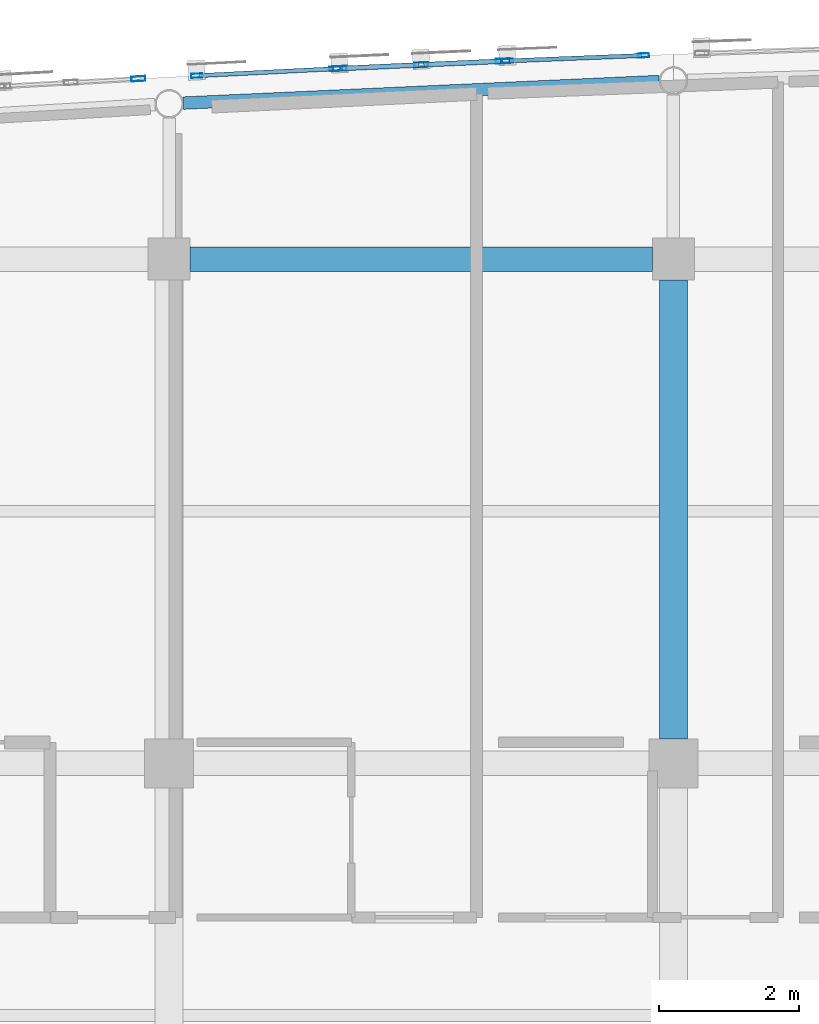
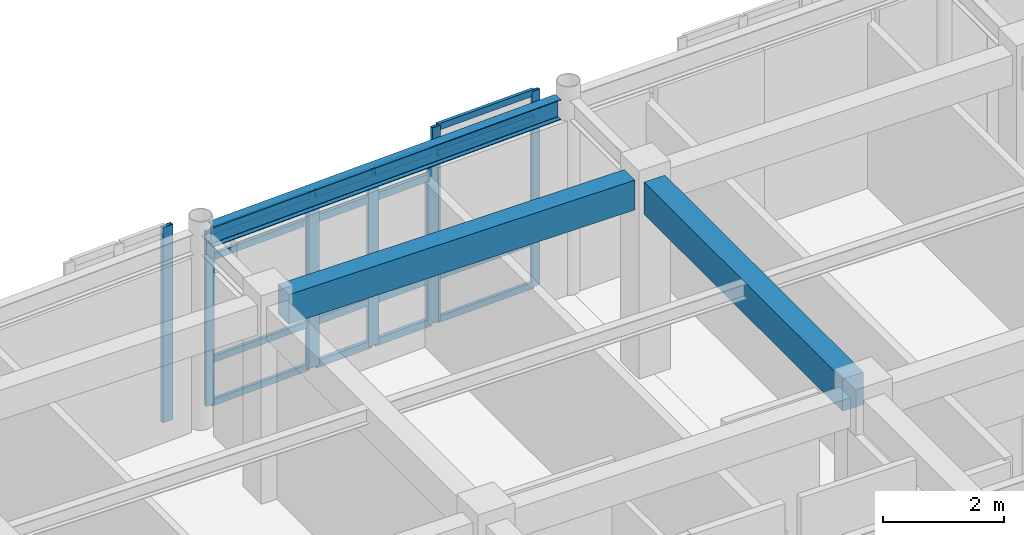
# One storey, part 44 of 113: 24 members, 3 beams, 4 elements without a shape of their own.
"""IFC4 building model written with IfcOpenShell, lengths in metres."""

from ifc_helpers import new_model, si_unit, direction, frame, origin, origin_2d, place, context, subcontext, project, spatial, rectangle, hollow_rectangle, i_section, extrude, material, layer, layer_set, material_profile, profile_set, type_object, element, aggregate, save


model = new_model("IFC4")

# Units and contexts
model_context = context("Model", 3, precision=1e-05, world=origin(), true_north=direction((0.0, 1.0)))
body_context = subcontext(model_context, "Body", "Model", "MODEL_VIEW")
ifc_project = project(units=[si_unit("LENGTHUNIT", "METRE"), si_unit("AREAUNIT", "SQUARE_METRE"), si_unit("VOLUMEUNIT", "CUBIC_METRE"), si_unit("PLANEANGLEUNIT", "RADIAN"), si_unit("MASSUNIT", "GRAM", prefix="KILO")], contexts=[model_context])

# Site, building, storey
site_placement = place(None, origin())
site = spatial("IfcSite", under=ifc_project, at=site_placement, CompositionType="ELEMENT")
building_placement = place(site_placement, origin())
building = spatial("IfcBuilding", under=site, at=building_placement, Name="Carrowvane Square Congress Hotel", CompositionType="ELEMENT")
storey_placement = place(building_placement, frame((0.0, 0.0, 15.0)))
storey = spatial("IfcBuildingStorey", under=building, at=storey_placement, Name="L03", CompositionType="ELEMENT", Elevation=15.0)

# Beams
ifc_material_1 = material(Name="Concrete C35/45", Category="concrete")
ifc_material_profile_1 = material_profile(ifc_material_1, rectangle(XDim=0.35009765625, YDim=0.60009765625, at=origin_2d()), Name="RC 350x600")
ifc_profile_set_1 = profile_set([ifc_material_profile_1], Name="Concrete C35/45")
beam_type_1 = type_object("IfcBeamType", Name="BM-RC-350x600", PredefinedType="BEAM", material=ifc_profile_set_1)
beam_1_placement = place(storey_placement, frame((76.699951171875, 113.39990234375, 3.639892578125), z_axis=(1.0, 0.0, 0.0), x_axis=(0.0, 1.0, 0.0)))
element("IfcBeam", 1, at=beam_1_placement, inside=storey, type_object=beam_type_1, Name="L04 girder R/10-11", PredefinedType="BEAM", context=body_context, shape_type="SweptSolid", body=[
    extrude(rectangle(XDim=0.35009765625, YDim=0.60009765625, at=origin_2d()), origin(), (0.0, 0.0, 1.0), 6.60009765625),
])
ifc_material_2 = material(Name="Concrete C35/45", Category="concrete")
ifc_material_profile_2 = material_profile(ifc_material_2, rectangle(XDim=0.39990234375, YDim=0.64990234375, at=origin_2d()), Name="RC 400x650")
ifc_profile_set_2 = profile_set([ifc_material_profile_2], Name="Concrete C35/45")
beam_type_2 = type_object("IfcBeamType", Name="BM-RC-400x650", PredefinedType="BEAM", material=ifc_profile_set_2)
beam_2_placement = place(storey_placement, frame((83.60009765625, 106.550048828125, 3.614990234375), z_axis=(0.0, 1.0, 0.0), x_axis=(-1.0, 0.0, 0.0)))
element("IfcBeam", 2, at=beam_2_placement, inside=storey, type_object=beam_type_2, Name="L04 girder 11/Q-R", PredefinedType="BEAM", context=body_context, shape_type="SweptSolid", body=[
    extrude(rectangle(XDim=0.39990234375, YDim=0.64990234375, at=origin_2d()), origin(), (0.0, 0.0, 1.0), 6.550048828125),
])
ifc_material_3 = material(Name="Steel S355", Category="steel")
ifc_material_profile_3 = material_profile(ifc_material_3, i_section(OverallWidth=0.1787109375, OverallDepth=0.409423828125, WebThickness=0.0087890625, FlangeThickness=0.014404296875, FilletRadius=0.01025390625, at=origin_2d()), Name="UKB 406x178x67")
ifc_profile_set_3 = profile_set([ifc_material_profile_3], Name="Steel S355")
beam_type_3 = type_object("IfcBeamType", Name="BM-ST-UKB406", PredefinedType="BEAM", material=ifc_profile_set_3)
beam_3_placement = place(storey_placement, frame((76.60302734375, 115.626708984375, 3.7353515625), z_axis=(0.998973271848, 0.045303445058, 0.0), x_axis=(-0.045303445058, 0.998973271848, 0.0)))
element("IfcBeam", 3, at=beam_3_placement, inside=storey, type_object=beam_type_3, Name="L04 curved north spandrel", PredefinedType="BEAM", context=body_context, shape_type="SweptSolid", body=[
    extrude(i_section(OverallWidth=0.1787109375, OverallDepth=0.409423828125, WebThickness=0.0087890625, FlangeThickness=0.014404296875, FilletRadius=0.01025390625, at=origin_2d()), origin(), (0.0, 0.0, 1.0), 6.801025390625),
])

# Curtain wall, members
ifc_material_4 = material(Name="Anodised aluminium", Category="aluminium")
ifc_layer_1 = layer(ifc_material_4, 0.162109375)
ifc_layer_set_1 = layer_set([ifc_layer_1], Name="Anodised aluminium")
curtain_wall_type_1 = type_object("IfcCurtainWallType", Name="CW-SYS-1", PredefinedType="NOTDEFINED", material=ifc_layer_set_1)
curtain_wall_1_placement = place(storey_placement, origin())
curtain_wall_1 = element("IfcCurtainWall", 4, at=curtain_wall_1_placement, inside=storey, type_object=curtain_wall_type_1, Name="L03 unitised curtain wall 208", PredefinedType="NOTDEFINED")
ifc_material_5 = material(Name="Anodised aluminium", Category="aluminium")
ifc_material_profile_4 = material_profile(ifc_material_5, hollow_rectangle(XDim=0.06005859375, YDim=0.159912109375, WallThickness=0.00390625, at=origin_2d()), Name="CW-ML 60x160x4")
ifc_profile_set_4 = profile_set([ifc_material_profile_4], Name="Anodised aluminium")
member_type_1 = type_object("IfcMemberType", Name="CW-MUL-1", PredefinedType="MULLION", material=ifc_profile_set_4)
member_1_placement = place(storey_placement, frame((76.79443359375, 116.017578125, 0.0), z_axis=(0.0, 0.0, 1.0), x_axis=(-0.050323791596, 0.998732955299, 0.0)))
member_1 = element("IfcMember", 5, at=member_1_placement, type_object=member_type_1, Name="CW-1 mullion 1", PredefinedType="MULLION", context=body_context, shape_type="SweptSolid", body=[
    extrude(hollow_rectangle(XDim=0.06005859375, YDim=0.159912109375, WallThickness=0.00390625, at=origin_2d()), origin(), (0.0, 0.0, 1.0), 3.515625),
])
member_2_placement = place(storey_placement, frame((78.77001953125, 116.116943359375, 0.0), z_axis=(0.0, 0.0, 1.0), x_axis=(-0.050323791596, 0.998732955299, 0.0)))
member_2 = element("IfcMember", 6, at=member_2_placement, type_object=member_type_1, Name="CW-1 mullion 2", PredefinedType="MULLION", context=body_context, shape_type="SweptSolid", body=[
    extrude(hollow_rectangle(XDim=0.06005859375, YDim=0.159912109375, WallThickness=0.00390625, at=origin_2d()), origin(), (0.0, 0.0, 1.0), 3.515625),
])

ifc_material_6 = material(Name="Anodised aluminium", Category="aluminium")
ifc_layer_2 = layer(ifc_material_6, 0.18603515625)
ifc_layer_set_2 = layer_set([ifc_layer_2], Name="Anodised aluminium")
curtain_wall_type_2 = type_object("IfcCurtainWallType", Name="CW-SYS-3", PredefinedType="NOTDEFINED", material=ifc_layer_set_2)
curtain_wall_2_placement = place(storey_placement, origin())
curtain_wall_2 = element("IfcCurtainWall", 7, at=curtain_wall_2_placement, inside=storey, type_object=curtain_wall_type_2, Name="L03 unitised curtain wall 210", PredefinedType="NOTDEFINED")
member_3_placement = place(storey_placement, frame((81.22998046875, 116.228759765625, 0.0), z_axis=(0.0, 0.0, 1.0), x_axis=(-0.040135742379, 0.999194236464, 0.0)))
member_3 = element("IfcMember", 8, at=member_3_placement, type_object=member_type_1, Name="CW-3 mullion 1", PredefinedType="MULLION", context=body_context, shape_type="SweptSolid", body=[
    extrude(hollow_rectangle(XDim=0.06005859375, YDim=0.159912109375, WallThickness=0.00390625, at=origin_2d()), origin(), (0.0, 0.0, 1.0), 3.93994140625),
])
member_4_placement = place(storey_placement, frame((83.171142578125, 116.306884765625, 0.0), z_axis=(0.0, 0.0, 1.0), x_axis=(-0.040135742379, 0.999194236464, 0.0)))
member_4 = element("IfcMember", 9, at=member_4_placement, type_object=member_type_1, Name="CW-3 mullion 2", PredefinedType="MULLION", context=body_context, shape_type="SweptSolid", body=[
    extrude(hollow_rectangle(XDim=0.06005859375, YDim=0.159912109375, WallThickness=0.00390625, at=origin_2d()), origin(), (0.0, 0.0, 1.0), 3.93994140625),
])

# Curtain wall, member
ifc_material_7 = material(Name="Anodised aluminium", Category="aluminium")
ifc_layer_3 = layer(ifc_material_7, 0.24609375)
ifc_layer_set_3 = layer_set([ifc_layer_3], Name="Anodised aluminium")
curtain_wall_type_3 = type_object("IfcCurtainWallType", Name="CW-SYS-8", PredefinedType="NOTDEFINED", material=ifc_layer_set_3)
curtain_wall_3_placement = place(storey_placement, origin())
curtain_wall_3 = element("IfcCurtainWall", 10, at=curtain_wall_3_placement, inside=storey, type_object=curtain_wall_type_3, Name="L03 unitised curtain wall 207", PredefinedType="NOTDEFINED")
ifc_material_8 = material(Name="Anodised aluminium", Category="aluminium")
ifc_material_profile_5 = material_profile(ifc_material_8, hollow_rectangle(XDim=0.070068359375, YDim=0.199951171875, WallThickness=0.0048828125, at=origin_2d()), Name="CW-ML 70x200x5")
ifc_profile_set_5 = profile_set([ifc_material_profile_5], Name="Anodised aluminium")
member_type_2 = type_object("IfcMemberType", Name="CW-MUL-2", PredefinedType="MULLION", material=ifc_profile_set_5)
member_5_placement = place(storey_placement, frame((75.96044921875, 115.973388671875, 0.0), z_axis=(0.0, 0.0, 1.0), x_axis=(-0.054815980317, 0.998496473856, 0.0)))
member_5 = element("IfcMember", 11, at=member_5_placement, type_object=member_type_2, Name="CW-8 mullion 3", PredefinedType="MULLION", context=body_context, shape_type="SweptSolid", body=[
    extrude(hollow_rectangle(XDim=0.070068359375, YDim=0.199951171875, WallThickness=0.0048828125, at=origin_2d()), origin(), (0.0, 0.0, 1.0), 3.93994140625),
])
aggregate(curtain_wall_3, [member_5])

# Curtain wall, members
ifc_material_9 = material(Name="Anodised aluminium", Category="aluminium")
ifc_layer_4 = layer(ifc_material_9, 0.174072265625)
ifc_layer_set_4 = layer_set([ifc_layer_4], Name="Anodised aluminium")
curtain_wall_type_4 = type_object("IfcCurtainWallType", Name="CW-SYS-2", PredefinedType="NOTDEFINED", material=ifc_layer_set_4)
curtain_wall_4_placement = place(storey_placement, origin())
curtain_wall_4 = element("IfcCurtainWall", 12, at=curtain_wall_4_placement, inside=storey, type_object=curtain_wall_type_4, Name="L03 unitised curtain wall 209", PredefinedType="NOTDEFINED")
member_6_placement = place(storey_placement, frame((78.8349609375, 116.1201171875, 0.0), z_axis=(0.0, 0.0, 1.0), x_axis=(-0.045411059449, 0.998968385726, 0.0)))
member_6 = element("IfcMember", 13, at=member_6_placement, type_object=member_type_2, Name="CW-2 mullion 1", PredefinedType="MULLION", context=body_context, shape_type="SweptSolid", body=[
    extrude(hollow_rectangle(XDim=0.070068359375, YDim=0.199951171875, WallThickness=0.0048828125, at=origin_2d()), origin(), (0.0, 0.0, 1.0), 3.515625),
])
member_7_placement = place(storey_placement, frame((80.0, 116.173095703125, 0.0), z_axis=(0.0, 0.0, 1.0), x_axis=(-0.045411059449, 0.998968385726, 0.0)))
member_7 = element("IfcMember", 14, at=member_7_placement, type_object=member_type_2, Name="CW-2 mullion 2", PredefinedType="MULLION", context=body_context, shape_type="SweptSolid", body=[
    extrude(hollow_rectangle(XDim=0.070068359375, YDim=0.199951171875, WallThickness=0.0048828125, at=origin_2d()), origin(), (0.0, 0.0, 1.0), 3.515625),
])
member_8_placement = place(storey_placement, frame((81.1650390625, 116.22607421875, 0.0), z_axis=(0.0, 0.0, 1.0), x_axis=(-0.045411059449, 0.998968385726, 0.0)))
member_8 = element("IfcMember", 15, at=member_8_placement, type_object=member_type_2, Name="CW-2 mullion 3", PredefinedType="MULLION", context=body_context, shape_type="SweptSolid", body=[
    extrude(hollow_rectangle(XDim=0.070068359375, YDim=0.199951171875, WallThickness=0.0048828125, at=origin_2d()), origin(), (0.0, 0.0, 1.0), 3.515625),
])

# Member
ifc_material_10 = material(Name="Anodised aluminium", Category="aluminium")
ifc_material_profile_6 = material_profile(ifc_material_10, hollow_rectangle(XDim=0.06005859375, YDim=0.1298828125, WallThickness=0.00390625, at=origin_2d()), Name="CW-TR 60x130x4")
ifc_profile_set_6 = profile_set([ifc_material_profile_6], Name="Anodised aluminium")
member_type_3 = type_object("IfcMemberType", Name="CW-TRN-1", PredefinedType="USERDEFINED", material=ifc_profile_set_6)
member_9_placement = place(storey_placement, frame((76.824462890625, 116.01904296875, 0.030029296875), z_axis=(0.998735138435, 0.050280446047, 0.0), x_axis=(-0.050280446047, 0.998735138435, 0.0)))
member_9 = element("IfcMember", 16, at=member_9_placement, type_object=member_type_3, Name="CW-1 transom 1.1", ObjectType="TRANSOM", PredefinedType="USERDEFINED", context=body_context, shape_type="SweptSolid", body=[
    extrude(hollow_rectangle(XDim=0.06005859375, YDim=0.1298828125, WallThickness=0.00390625, at=origin_2d()), origin(), (0.0, 0.0, 1.0), 1.91796875),
])

member_10_placement = place(storey_placement, frame((76.824462890625, 116.01904296875, 0.89990234375), z_axis=(0.998735138435, 0.050280446047, 0.0), x_axis=(-0.050280446047, 0.998735138435, 0.0)))
member_10 = element("IfcMember", 17, at=member_10_placement, type_object=member_type_3, Name="CW-1 transom 1.2", ObjectType="TRANSOM", PredefinedType="USERDEFINED", context=body_context, shape_type="SweptSolid", body=[
    extrude(hollow_rectangle(XDim=0.06005859375, YDim=0.1298828125, WallThickness=0.00390625, at=origin_2d()), origin(), (0.0, 0.0, 1.0), 1.91796875),
])

member_11_placement = place(storey_placement, frame((76.824462890625, 116.01904296875, 2.965576171875), z_axis=(0.998735138435, 0.050280446047, 0.0), x_axis=(-0.050280446047, 0.998735138435, 0.0)))
member_11 = element("IfcMember", 18, at=member_11_placement, type_object=member_type_3, Name="CW-1 transom 1.3", ObjectType="TRANSOM", PredefinedType="USERDEFINED", context=body_context, shape_type="SweptSolid", body=[
    extrude(hollow_rectangle(XDim=0.06005859375, YDim=0.1298828125, WallThickness=0.00390625, at=origin_2d()), origin(), (0.0, 0.0, 1.0), 1.91796875),
])

member_12_placement = place(storey_placement, frame((76.824462890625, 116.01904296875, 3.485595703125), z_axis=(0.998735138435, 0.050280446047, 0.0), x_axis=(-0.050280446047, 0.998735138435, 0.0)))
member_12 = element("IfcMember", 19, at=member_12_placement, type_object=member_type_3, Name="CW-1 transom 1.4", ObjectType="TRANSOM", PredefinedType="USERDEFINED", context=body_context, shape_type="SweptSolid", body=[
    extrude(hollow_rectangle(XDim=0.06005859375, YDim=0.1298828125, WallThickness=0.00390625, at=origin_2d()), origin(), (0.0, 0.0, 1.0), 1.91796875),
])

aggregate(curtain_wall_1, [member_1, member_2, member_9, member_10, member_11, member_12])

member_13_placement = place(storey_placement, frame((81.260009765625, 116.22998046875, 0.030029296875), z_axis=(0.999191609431, 0.040201090061, 0.0), x_axis=(-0.040201090061, 0.999191609431, 0.0)))
member_13 = element("IfcMember", 20, at=member_13_placement, type_object=member_type_3, Name="CW-3 transom 1.1", ObjectType="TRANSOM", PredefinedType="USERDEFINED", context=body_context, shape_type="SweptSolid", body=[
    extrude(hollow_rectangle(XDim=0.06005859375, YDim=0.1298828125, WallThickness=0.00390625, at=origin_2d()), origin(), (0.0, 0.0, 1.0), 1.882568359375),
])

member_14_placement = place(storey_placement, frame((81.260009765625, 116.22998046875, 0.89990234375), z_axis=(0.999191609431, 0.040201090061, 0.0), x_axis=(-0.040201090061, 0.999191609431, 0.0)))
member_14 = element("IfcMember", 21, at=member_14_placement, type_object=member_type_3, Name="CW-3 transom 1.2", ObjectType="TRANSOM", PredefinedType="USERDEFINED", context=body_context, shape_type="SweptSolid", body=[
    extrude(hollow_rectangle(XDim=0.06005859375, YDim=0.1298828125, WallThickness=0.00390625, at=origin_2d()), origin(), (0.0, 0.0, 1.0), 1.882568359375),
])

member_15_placement = place(storey_placement, frame((81.260009765625, 116.22998046875, 3.389892578125), z_axis=(0.999191609431, 0.040201090061, 0.0), x_axis=(-0.040201090061, 0.999191609431, 0.0)))
member_15 = element("IfcMember", 22, at=member_15_placement, type_object=member_type_3, Name="CW-3 transom 1.3", ObjectType="TRANSOM", PredefinedType="USERDEFINED", context=body_context, shape_type="SweptSolid", body=[
    extrude(hollow_rectangle(XDim=0.06005859375, YDim=0.1298828125, WallThickness=0.00390625, at=origin_2d()), origin(), (0.0, 0.0, 1.0), 1.882568359375),
])

member_16_placement = place(storey_placement, frame((81.260009765625, 116.22998046875, 3.909912109375), z_axis=(0.999191609431, 0.040201090061, 0.0), x_axis=(-0.040201090061, 0.999191609431, 0.0)))
member_16 = element("IfcMember", 23, at=member_16_placement, type_object=member_type_3, Name="CW-3 transom 1.4", ObjectType="TRANSOM", PredefinedType="USERDEFINED", context=body_context, shape_type="SweptSolid", body=[
    extrude(hollow_rectangle(XDim=0.06005859375, YDim=0.1298828125, WallThickness=0.00390625, at=origin_2d()), origin(), (0.0, 0.0, 1.0), 1.882568359375),
])

aggregate(curtain_wall_2, [member_3, member_4, member_13, member_14, member_15, member_16])

ifc_material_11 = material(Name="Anodised aluminium", Category="aluminium")
ifc_material_profile_7 = material_profile(ifc_material_11, hollow_rectangle(XDim=0.070068359375, YDim=0.14990234375, WallThickness=0.0048828125, at=origin_2d()), Name="CW-TR 70x150x5")
ifc_profile_set_7 = profile_set([ifc_material_profile_7], Name="Anodised aluminium")
member_type_4 = type_object("IfcMemberType", Name="CW-TRN-2", PredefinedType="USERDEFINED", material=ifc_profile_set_7)
member_17_placement = place(storey_placement, frame((78.869873046875, 116.12158203125, 0.034912109375), z_axis=(0.998967621715, 0.045427863315, 0.0), x_axis=(-0.045427863315, 0.998967621715, 0.0)))
member_17 = element("IfcMember", 24, at=member_17_placement, type_object=member_type_4, Name="CW-2 transom 1.1", ObjectType="TRANSOM", PredefinedType="USERDEFINED", context=body_context, shape_type="SweptSolid", body=[
    extrude(hollow_rectangle(XDim=0.070068359375, YDim=0.14990234375, WallThickness=0.0048828125, at=origin_2d()), origin(), (0.0, 0.0, 1.0), 1.096435546875),
])

member_18_placement = place(storey_placement, frame((78.869873046875, 116.12158203125, 0.89990234375), z_axis=(0.998967621715, 0.045427863315, 0.0), x_axis=(-0.045427863315, 0.998967621715, 0.0)))
member_18 = element("IfcMember", 25, at=member_18_placement, type_object=member_type_4, Name="CW-2 transom 1.2", ObjectType="TRANSOM", PredefinedType="USERDEFINED", context=body_context, shape_type="SweptSolid", body=[
    extrude(hollow_rectangle(XDim=0.070068359375, YDim=0.14990234375, WallThickness=0.0048828125, at=origin_2d()), origin(), (0.0, 0.0, 1.0), 1.096435546875),
])

member_19_placement = place(storey_placement, frame((78.869873046875, 116.12158203125, 2.965576171875), z_axis=(0.998967621715, 0.045427863315, 0.0), x_axis=(-0.045427863315, 0.998967621715, 0.0)))
member_19 = element("IfcMember", 26, at=member_19_placement, type_object=member_type_4, Name="CW-2 transom 1.3", ObjectType="TRANSOM", PredefinedType="USERDEFINED", context=body_context, shape_type="SweptSolid", body=[
    extrude(hollow_rectangle(XDim=0.070068359375, YDim=0.14990234375, WallThickness=0.0048828125, at=origin_2d()), origin(), (0.0, 0.0, 1.0), 1.096435546875),
])

member_20_placement = place(storey_placement, frame((78.869873046875, 116.12158203125, 3.480712890625), z_axis=(0.998967621715, 0.045427863315, 0.0), x_axis=(-0.045427863315, 0.998967621715, 0.0)))
member_20 = element("IfcMember", 27, at=member_20_placement, type_object=member_type_4, Name="CW-2 transom 1.4", ObjectType="TRANSOM", PredefinedType="USERDEFINED", context=body_context, shape_type="SweptSolid", body=[
    extrude(hollow_rectangle(XDim=0.070068359375, YDim=0.14990234375, WallThickness=0.0048828125, at=origin_2d()), origin(), (0.0, 0.0, 1.0), 1.096435546875),
])

member_21_placement = place(storey_placement, frame((80.034912109375, 116.174560546875, 0.034912109375), z_axis=(0.998967621715, 0.045427863315, 0.0), x_axis=(-0.045427863315, 0.998967621715, 0.0)))
member_21 = element("IfcMember", 28, at=member_21_placement, type_object=member_type_4, Name="CW-2 transom 2.1", ObjectType="TRANSOM", PredefinedType="USERDEFINED", context=body_context, shape_type="SweptSolid", body=[
    extrude(hollow_rectangle(XDim=0.070068359375, YDim=0.14990234375, WallThickness=0.0048828125, at=origin_2d()), origin(), (0.0, 0.0, 1.0), 1.096435546875),
])

member_22_placement = place(storey_placement, frame((80.034912109375, 116.174560546875, 0.89990234375), z_axis=(0.998967621715, 0.045427863315, 0.0), x_axis=(-0.045427863315, 0.998967621715, 0.0)))
member_22 = element("IfcMember", 29, at=member_22_placement, type_object=member_type_4, Name="CW-2 transom 2.2", ObjectType="TRANSOM", PredefinedType="USERDEFINED", context=body_context, shape_type="SweptSolid", body=[
    extrude(hollow_rectangle(XDim=0.070068359375, YDim=0.14990234375, WallThickness=0.0048828125, at=origin_2d()), origin(), (0.0, 0.0, 1.0), 1.096435546875),
])

member_23_placement = place(storey_placement, frame((80.034912109375, 116.174560546875, 2.965576171875), z_axis=(0.998967621715, 0.045427863315, 0.0), x_axis=(-0.045427863315, 0.998967621715, 0.0)))
member_23 = element("IfcMember", 30, at=member_23_placement, type_object=member_type_4, Name="CW-2 transom 2.3", ObjectType="TRANSOM", PredefinedType="USERDEFINED", context=body_context, shape_type="SweptSolid", body=[
    extrude(hollow_rectangle(XDim=0.070068359375, YDim=0.14990234375, WallThickness=0.0048828125, at=origin_2d()), origin(), (0.0, 0.0, 1.0), 1.096435546875),
])

member_24_placement = place(storey_placement, frame((80.034912109375, 116.174560546875, 3.480712890625), z_axis=(0.998967621715, 0.045427863315, 0.0), x_axis=(-0.045427863315, 0.998967621715, 0.0)))
member_24 = element("IfcMember", 31, at=member_24_placement, type_object=member_type_4, Name="CW-2 transom 2.4", ObjectType="TRANSOM", PredefinedType="USERDEFINED", context=body_context, shape_type="SweptSolid", body=[
    extrude(hollow_rectangle(XDim=0.070068359375, YDim=0.14990234375, WallThickness=0.0048828125, at=origin_2d()), origin(), (0.0, 0.0, 1.0), 1.096435546875),
])

aggregate(curtain_wall_4, [member_6, member_7, member_8, member_17, member_18, member_19, member_20, member_21, member_22, member_23, member_24])

save(model, "model.ifc")
